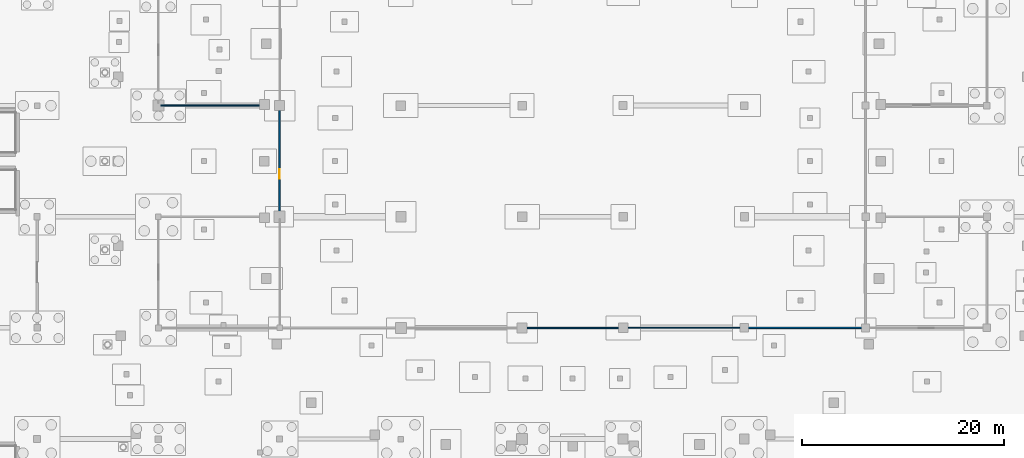
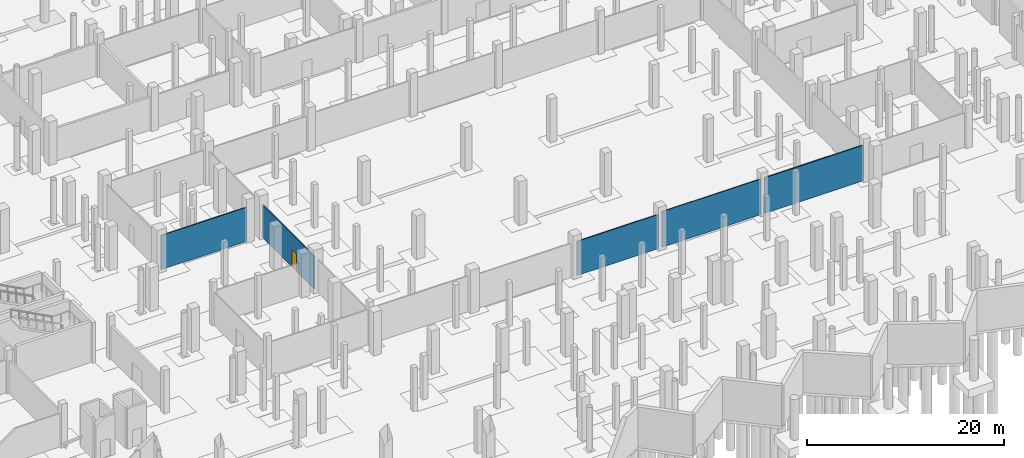
# One storey, part 32 of 60: 5 walls, 1 door, 1 opening.
"""IFC4 building model written with IfcOpenShell, lengths in metres."""

from ifc_helpers import new_model, si_unit, direction, frame, frame_2d, origin, place, context, subcontext, project, spatial, rectangle, extrude, material, layer, layer_set, type_object, element, fill, save


model = new_model("IFC4")

# Units and contexts
model_context = context("Model", 3, precision=1e-05, world=origin(), true_north=direction((0.0, 1.0)))
body_context = subcontext(model_context, "Body", "Model", "MODEL_VIEW")
ifc_project = project(units=[si_unit("LENGTHUNIT", "METRE"), si_unit("AREAUNIT", "SQUARE_METRE"), si_unit("VOLUMEUNIT", "CUBIC_METRE"), si_unit("PLANEANGLEUNIT", "RADIAN"), si_unit("MASSUNIT", "GRAM", prefix="KILO")], contexts=[model_context])

# Site, building, storey
site_placement = place(None, origin())
site = spatial("IfcSite", under=ifc_project, at=site_placement, CompositionType="ELEMENT")
building_placement = place(site_placement, origin())
building = spatial("IfcBuilding", under=site, at=building_placement, Name="Luwafu Chhajja Arena", CompositionType="ELEMENT")
storey_placement = place(building_placement, frame((0.0, 0.0, -5.39990234375)))
storey = spatial("IfcBuildingStorey", under=building, at=storey_placement, Name="B1", CompositionType="ELEMENT", Elevation=-5.39990234375)

# Wall, opening, door
ifc_material_1 = material(Name="Lightweight blockwork partition", Category="masonry")
ifc_layer_1 = layer(ifc_material_1, 0.139892578125, Name="Lightweight blockwork partition")
ifc_layer_set_1 = layer_set([ifc_layer_1], Name="Lightweight blockwork partition")
wall_type_1 = type_object("IfcWallType", Name="Concourse Kiosk Partition 140", PredefinedType="PARTITIONING", material=ifc_layer_set_1)
wall_1_placement = place(storey_placement, frame((70.0, 44.219970703125, 0.0), z_axis=(0.0, 0.0, 1.0), x_axis=(0.0, 1.0, 0.0)))
wall_1 = element("IfcWall", 1, at=wall_1_placement, inside=storey, type_object=wall_type_1, Name="B1 Internal Partition 0001", PredefinedType="PARTITIONING", context=body_context, shape_type="SweptSolid", body=[
    extrude(rectangle(XDim=10.56005859375, YDim=0.139892578125, at=frame_2d((5.280029296875, 0.0))), origin(), (0.0, 0.0, 1.0), 4.079833984375),
])
opening_placement = place(wall_1_placement, frame((3.53271484375, 0.0, 0.0)))
opening = element("IfcOpeningElement", 2, at=opening_placement, cuts=wall_1, Name="Opening DR-22", PredefinedType="OPENING", context=body_context, shape_type="SweptSolid", body=[
    extrude(rectangle(XDim=0.9599609375, YDim=2.14990234375, at=frame_2d((0.47998046875, 1.074951171875))), frame((0.0, 0.079833984375, 0.0), z_axis=(0.0, -1.0, 0.0), x_axis=(1.0, 0.0, 0.0)), (0.0, 0.0, 1.0), 0.159912109375),
])
ifc_material_2 = material(Name="Hardwood flush office door", Category="wood")
door_type = type_object("IfcDoorType", Name="DR-22", OperationType="NOTDEFINED", PredefinedType="DOOR", material=ifc_material_2)
door_placement = place(opening_placement, origin())
door = element("IfcDoor", 3, at=door_placement, inside=storey, type_object=door_type, Name="B1 Interior Door B1-D029", OperationType="SINGLE_SWING_RIGHT", OverallHeight=2.14990234375, OverallWidth=0.9599609375, PredefinedType="DOOR", context=body_context, shape_type="SweptSolid", body=[
    extrude(rectangle(XDim=0.9599609375, YDim=2.14990234375, at=frame_2d((0.47998046875, 1.074951171875))), frame((0.0, 0.02490234375, 0.0), z_axis=(0.0, -1.0, 0.0), x_axis=(1.0, 0.0, 0.0)), (0.0, 0.0, 1.0), 0.050048828125),
])
fill(opening, door)

# Walls
wall_2_placement = place(storey_placement, frame((116.219970703125, 33.0, 0.0), z_axis=(0.0, 0.0, 1.0), x_axis=(1.0, 0.0, 0.0)))
element("IfcWall", 4, at=wall_2_placement, inside=storey, type_object=wall_type_1, Name="B1 Internal Partition 0010", PredefinedType="PARTITIONING", context=body_context, shape_type="SweptSolid", body=[
    extrude(rectangle(XDim=11.56005859375, YDim=0.139892578125, at=frame_2d((5.780029296875, 0.0))), origin(), (0.0, 0.0, 1.0), 4.417724609375),
])
ifc_material_3 = material(Name="Gypsum plasterboard partition")
ifc_layer_2 = layer(ifc_material_3, 0.10009765625, Name="Gypsum plasterboard partition")
ifc_layer_set_2 = layer_set([ifc_layer_2], Name="Gypsum plasterboard partition")
wall_type_2 = type_object("IfcWallType", Name="Drywall Lining Partition 100", PredefinedType="PARTITIONING", material=ifc_layer_set_2)
wall_3_placement = place(storey_placement, frame((104.219970703125, 33.0, 0.0), z_axis=(0.0, 0.0, 1.0), x_axis=(1.0, 0.0, 0.0)))
element("IfcWall", 5, at=wall_3_placement, inside=storey, type_object=wall_type_2, Name="B1 Internal Partition 0008", PredefinedType="PARTITIONING", context=body_context, shape_type="SweptSolid", body=[
    extrude(rectangle(XDim=11.56005859375, YDim=0.10009765625, at=frame_2d((5.780029296875, 0.0))), origin(), (0.0, 0.0, 1.0), 4.417724609375),
])
ifc_material_4 = material(Name="Acoustic metal-stud gypsum board")
ifc_layer_3 = layer(ifc_material_4, 0.1201171875, Name="Acoustic metal-stud gypsum board")
ifc_layer_set_3 = layer_set([ifc_layer_3], Name="Acoustic metal-stud gypsum board")
wall_type_3 = type_object("IfcWallType", Name="Internal Room Partition 120", PredefinedType="PARTITIONING", material=ifc_layer_set_3)
wall_4_placement = place(storey_placement, frame((94.219970703125, 33.0, 0.0), z_axis=(0.0, 0.0, 1.0), x_axis=(1.0, 0.0, 0.0)))
element("IfcWall", 6, at=wall_4_placement, inside=storey, type_object=wall_type_3, Name="B1 Internal Partition 0006", PredefinedType="PARTITIONING", context=body_context, shape_type="SweptSolid", body=[
    extrude(rectangle(XDim=9.56005859375, YDim=0.1201171875, at=frame_2d((4.780029296875, 0.0))), origin(), (0.0, 0.0, 1.0), 4.22998046875),
])
wall_5_placement = place(storey_placement, frame((58.219970703125, 55.0, 0.0), z_axis=(0.0, 0.0, 1.0), x_axis=(1.0, 0.0, 0.0)))
element("IfcWall", 7, at=wall_5_placement, inside=storey, type_object=wall_type_3, Name="B1 Internal Partition 0042", PredefinedType="PARTITIONING", context=body_context, shape_type="SweptSolid", body=[
    extrude(rectangle(XDim=10.068115234375, YDim=0.1201171875, at=frame_2d((5.0341796875, 0.0))), origin(), (0.0, 0.0, 1.0), 4.22998046875),
])

save(model, "model.ifc")
